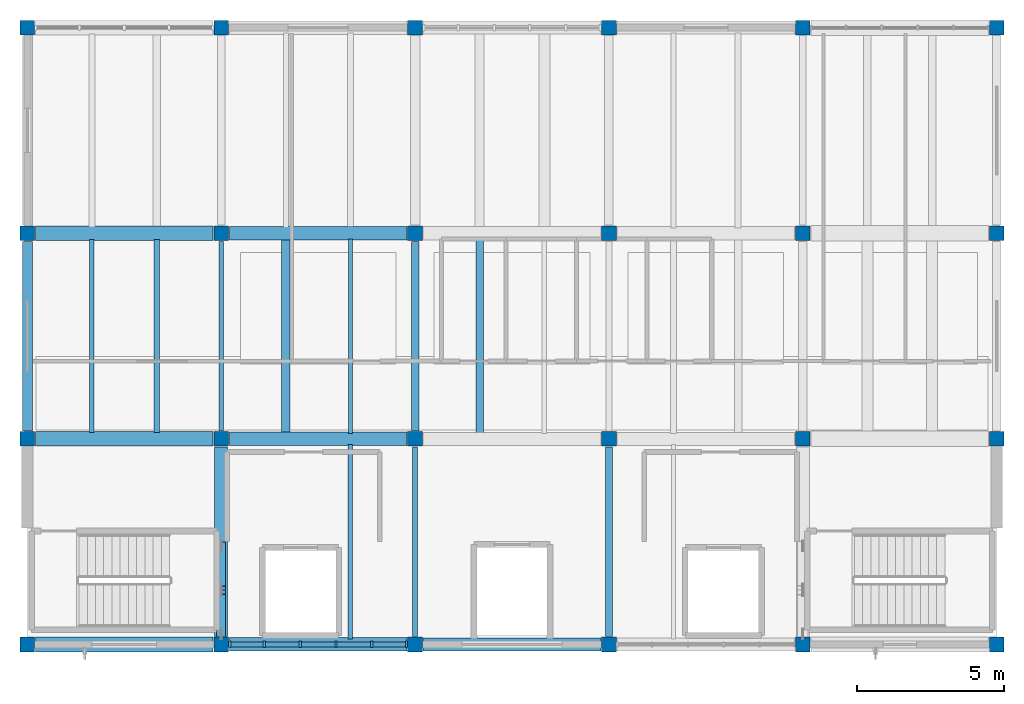
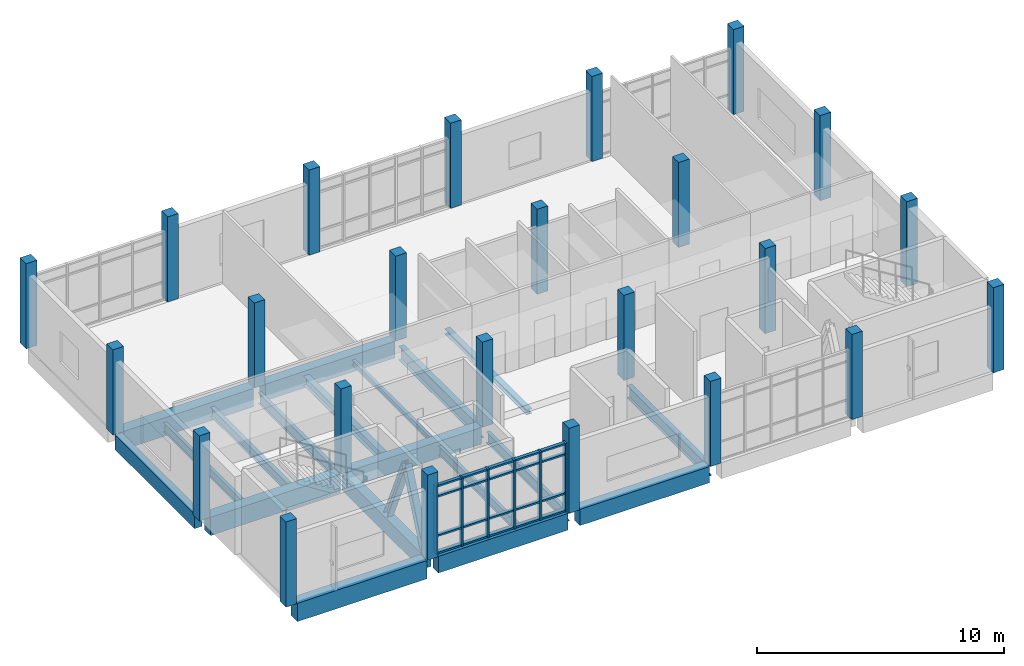
# One storey, part 1 of 10: 28 members, 24 columns, 19 beams, 1 element without a shape of its own.
"""IFC4 building model written with IfcOpenShell, lengths in metres."""

from ifc_helpers import new_model, si_unit, direction, frame, origin, origin_2d, place, context, subcontext, project, spatial, rectangle, i_section, extrude, material, material_profile, profile_set, type_object, element, aggregate, save


model = new_model("IFC4")

# Units and contexts
model_context = context("Model", 3, precision=1e-05, world=origin(), true_north=direction((0.0, 1.0)))
body_context = subcontext(model_context, "Body", "Model", "MODEL_VIEW")
ifc_project = project(units=[si_unit("LENGTHUNIT", "METRE"), si_unit("AREAUNIT", "SQUARE_METRE"), si_unit("VOLUMEUNIT", "CUBIC_METRE"), si_unit("PLANEANGLEUNIT", "RADIAN"), si_unit("MASSUNIT", "GRAM", prefix="KILO")], contexts=[model_context])

# Site, building, storey
site_placement = place(None, origin())
site = spatial("IfcSite", under=ifc_project, at=site_placement, CompositionType="ELEMENT")
building_placement = place(site_placement, origin())
building = spatial("IfcBuilding", under=site, at=building_placement, Name="Ciguamira Faculty of Natural Sciences", CompositionType="ELEMENT")
storey_placement = place(building_placement, frame((0.0, 0.0, 42.0)))
storey = spatial("IfcBuildingStorey", under=building, at=storey_placement, Name="L10", CompositionType="ELEMENT", Elevation=42.0)

# Columns
ifc_material_1 = material(Name="Concrete C40/50", Category="concrete")
ifc_material_profile_1 = material_profile(ifc_material_1, rectangle(XDim=0.5, YDim=0.5, at=origin_2d()), Name="RC-COL-500X500")
ifc_profile_set_1 = profile_set([ifc_material_profile_1], Name="Concrete C40/50")
column_type = type_object("IfcColumnType", Name="Col_C-09_RC-COL-500X500", PredefinedType="COLUMN", material=ifc_profile_set_1)
for number, where, z_axis, x_axis, name in (
    (1, (70.5, 94.0, 0.0), (0.0, 0.0, 1.0), (1.0, 0.0, 0.0), "L10 column 11/P"),
    (2, (70.5, 101.0, 0.0), (0.0, 0.0, 1.0), (1.0, 0.0, 0.0), "L10 column 11/Q"),
    (3, (70.5, 108.0, 0.0), (0.0, 0.0, 1.0), (1.0, 0.0, 0.0), "L10 column 11/R"),
    (4, (70.5, 115.0, 0.0), (0.0, 0.0, 1.0), (1.0, 0.0, 0.0), "L10 column 11/S"),
    (5, (77.10009765625, 94.0, 0.0), (0.0, 0.0, 1.0), (1.0, 0.0, 0.0), "L10 column 12/P"),
    (6, (77.10009765625, 101.0, 0.0), (0.0, 0.0, 1.0), (1.0, 0.0, 0.0), "L10 column 12/Q"),
    (7, (77.10009765625, 108.0, 0.0), (0.0, 0.0, 1.0), (1.0, 0.0, 0.0), "L10 column 12/R"),
    (8, (77.10009765625, 115.0, 0.0), (0.0, 0.0, 1.0), (1.0, 0.0, 0.0), "L10 column 12/S"),
    (9, (83.699951171875, 94.0, 0.0), (0.0, 0.0, 1.0), (1.0, 0.0, 0.0), "L10 column 13/P"),
    (10, (83.699951171875, 101.0, 0.0), (0.0, 0.0, 1.0), (1.0, 0.0, 0.0), "L10 column 13/Q"),
    (11, (83.699951171875, 108.0, 0.0), (0.0, 0.0, 1.0), (1.0, 0.0, 0.0), "L10 column 13/R"),
    (12, (83.699951171875, 115.0, 0.0), (0.0, 0.0, 1.0), (1.0, 0.0, 0.0), "L10 column 13/S"),
    (13, (90.300048828125, 94.0, 0.0), (0.0, 0.0, 1.0), (1.0, 0.0, 0.0), "L10 column 14/P"),
    (14, (90.300048828125, 101.0, 0.0), (0.0, 0.0, 1.0), (1.0, 0.0, 0.0), "L10 column 14/Q"),
    (15, (90.300048828125, 108.0, 0.0), (0.0, 0.0, 1.0), (1.0, 0.0, 0.0), "L10 column 14/R"),
    (16, (90.300048828125, 115.0, 0.0), (0.0, 0.0, 1.0), (1.0, 0.0, 0.0), "L10 column 14/S"),
    (17, (96.89990234375, 94.0, 0.0), (0.0, 0.0, 1.0), (1.0, 0.0, 0.0), "L10 column 15/P"),
    (18, (96.89990234375, 101.0, 0.0), (0.0, 0.0, 1.0), (1.0, 0.0, 0.0), "L10 column 15/Q"),
    (19, (96.89990234375, 108.0, 0.0), (0.0, 0.0, 1.0), (1.0, 0.0, 0.0), "L10 column 15/R"),
    (20, (96.89990234375, 115.0, 0.0), (0.0, 0.0, 1.0), (1.0, 0.0, 0.0), "L10 column 15/S"),
    (21, (103.5, 94.0, 0.0), (0.0, 0.0, 1.0), (1.0, 0.0, 0.0), "L10 column 16/P"),
    (22, (103.5, 101.0, 0.0), (0.0, 0.0, 1.0), (1.0, 0.0, 0.0), "L10 column 16/Q"),
    (23, (103.5, 108.0, 0.0), (0.0, 0.0, 1.0), (1.0, 0.0, 0.0), "L10 column 16/R"),
    (24, (103.5, 115.0, 0.0), (0.0, 0.0, 1.0), (1.0, 0.0, 0.0), "L10 column 16/S"),
):
    element("IfcColumn", number, at=place(storey_placement, frame(where, z_axis=z_axis, x_axis=x_axis)), inside=storey, type_object=column_type, Name=name, PredefinedType="COLUMN", context=body_context, shape_type="SweptSolid", body=[
        extrude(rectangle(XDim=0.5, YDim=0.5, at=origin_2d()), origin(), (0.0, 0.0, 1.0), 4.199951171875),
    ])

# Curtain wall, members
ifc_material_2 = material(Name="Anodized aluminium curtain wall", Category="aluminium")
curtain_wall_type = type_object("IfcCurtainWallType", Name="CurtainWall_CW-09", PredefinedType="USERDEFINED", material=ifc_material_2)
curtain_wall_placement = place(storey_placement, origin())
curtain_wall = element("IfcCurtainWall", 25, at=curtain_wall_placement, inside=storey, type_object=curtain_wall_type, Name="L10 unitised curtain wall 0165", ObjectType="UNITISED CURTAIN WALL", PredefinedType="USERDEFINED")
ifc_material_3 = material(Name="Anodized aluminium mullion", Category="aluminium")
ifc_material_profile_2 = material_profile(ifc_material_3, rectangle(XDim=0.080078125, YDim=0.219970703125, at=origin_2d()), Name="ALU-MUL-80X220")
ifc_profile_set_2 = profile_set([ifc_material_profile_2], Name="Anodized aluminium mullion")
member_type_1 = type_object("IfcMemberType", Name="CWMullion_CWM-03", PredefinedType="MULLION", material=ifc_profile_set_2)
member_1_placement = place(storey_placement, frame((77.389892578125, 94.0, 0.0), z_axis=(0.0, 0.0, 1.0), x_axis=(1.0, 0.0, 0.0)))
member_1 = element("IfcMember", 26, at=member_1_placement, type_object=member_type_1, Name="CW-09 mullion 1", PredefinedType="MULLION", context=body_context, shape_type="SweptSolid", body=[
    extrude(rectangle(XDim=0.080078125, YDim=0.219970703125, at=origin_2d()), origin(), (0.0, 0.0, 1.0), 3.385009765625),
])
member_2_placement = place(storey_placement, frame((78.570068359375, 94.0, 0.0), z_axis=(0.0, 0.0, 1.0), x_axis=(1.0, 0.0, 0.0)))
member_2 = element("IfcMember", 27, at=member_2_placement, type_object=member_type_1, Name="CW-09 mullion 2", PredefinedType="MULLION", context=body_context, shape_type="SweptSolid", body=[
    extrude(rectangle(XDim=0.080078125, YDim=0.219970703125, at=origin_2d()), origin(), (0.0, 0.0, 1.0), 3.385009765625),
])
member_3_placement = place(storey_placement, frame((79.7900390625, 94.0, 0.0), z_axis=(0.0, 0.0, 1.0), x_axis=(1.0, 0.0, 0.0)))
member_3 = element("IfcMember", 28, at=member_3_placement, type_object=member_type_1, Name="CW-09 mullion 3", PredefinedType="MULLION", context=body_context, shape_type="SweptSolid", body=[
    extrude(rectangle(XDim=0.080078125, YDim=0.219970703125, at=origin_2d()), origin(), (0.0, 0.0, 1.0), 3.385009765625),
])
member_4_placement = place(storey_placement, frame((81.010009765625, 94.0, 0.0), z_axis=(0.0, 0.0, 1.0), x_axis=(1.0, 0.0, 0.0)))
member_4 = element("IfcMember", 29, at=member_4_placement, type_object=member_type_1, Name="CW-09 mullion 4", PredefinedType="MULLION", context=body_context, shape_type="SweptSolid", body=[
    extrude(rectangle(XDim=0.080078125, YDim=0.219970703125, at=origin_2d()), origin(), (0.0, 0.0, 1.0), 3.385009765625),
])
member_5_placement = place(storey_placement, frame((82.22998046875, 94.0, 0.0), z_axis=(0.0, 0.0, 1.0), x_axis=(1.0, 0.0, 0.0)))
member_5 = element("IfcMember", 30, at=member_5_placement, type_object=member_type_1, Name="CW-09 mullion 5", PredefinedType="MULLION", context=body_context, shape_type="SweptSolid", body=[
    extrude(rectangle(XDim=0.080078125, YDim=0.219970703125, at=origin_2d()), origin(), (0.0, 0.0, 1.0), 3.385009765625),
])
member_6_placement = place(storey_placement, frame((83.409912109375, 94.0, 0.0), z_axis=(0.0, 0.0, 1.0), x_axis=(1.0, 0.0, 0.0)))
member_6 = element("IfcMember", 31, at=member_6_placement, type_object=member_type_1, Name="CW-09 mullion 6", PredefinedType="MULLION", context=body_context, shape_type="SweptSolid", body=[
    extrude(rectangle(XDim=0.080078125, YDim=0.219970703125, at=origin_2d()), origin(), (0.0, 0.0, 1.0), 3.385009765625),
])
ifc_material_4 = material(Name="Anodized aluminium transom", Category="aluminium")
ifc_material_profile_3 = material_profile(ifc_material_4, rectangle(XDim=0.080078125, YDim=0.159912109375, at=origin_2d()), Name="ALU-TRN-80X160")
ifc_profile_set_3 = profile_set([ifc_material_profile_3], Name="Anodized aluminium transom")
member_type_2 = type_object("IfcMemberType", Name="CWTransom_CWT-03", PredefinedType="USERDEFINED", material=ifc_profile_set_3)
member_7_placement = place(storey_placement, frame((77.429931640625, 94.0, 0.0400390625), z_axis=(1.0, 0.0, 0.0), x_axis=(0.0, 0.0, 1.0)))
member_7 = element("IfcMember", 32, at=member_7_placement, type_object=member_type_2, Name="CW-09 transom 1.1", ObjectType="TRANSOM", PredefinedType="USERDEFINED", context=body_context, shape_type="SweptSolid", body=[
    extrude(rectangle(XDim=0.080078125, YDim=0.159912109375, at=origin_2d()), origin(), (0.0, 0.0, 1.0), 1.10009765625),
])
member_8_placement = place(storey_placement, frame((77.429931640625, 94.0, 0.89990234375), z_axis=(1.0, 0.0, 0.0), x_axis=(0.0, 0.0, 1.0)))
member_8 = element("IfcMember", 33, at=member_8_placement, type_object=member_type_2, Name="CW-09 transom 1.2", ObjectType="TRANSOM", PredefinedType="USERDEFINED", context=body_context, shape_type="SweptSolid", body=[
    extrude(rectangle(XDim=0.080078125, YDim=0.159912109375, at=origin_2d()), origin(), (0.0, 0.0, 1.0), 1.10009765625),
])
member_9_placement = place(storey_placement, frame((77.429931640625, 94.0, 2.8349609375), z_axis=(1.0, 0.0, 0.0), x_axis=(0.0, 0.0, 1.0)))
member_9 = element("IfcMember", 34, at=member_9_placement, type_object=member_type_2, Name="CW-09 transom 1.3", ObjectType="TRANSOM", PredefinedType="USERDEFINED", context=body_context, shape_type="SweptSolid", body=[
    extrude(rectangle(XDim=0.080078125, YDim=0.159912109375, at=origin_2d()), origin(), (0.0, 0.0, 1.0), 1.10009765625),
])
member_10_placement = place(storey_placement, frame((77.429931640625, 94.0, 3.344970703125), z_axis=(1.0, 0.0, 0.0), x_axis=(0.0, 0.0, 1.0)))
member_10 = element("IfcMember", 35, at=member_10_placement, type_object=member_type_2, Name="CW-09 transom 1.4", ObjectType="TRANSOM", PredefinedType="USERDEFINED", context=body_context, shape_type="SweptSolid", body=[
    extrude(rectangle(XDim=0.080078125, YDim=0.159912109375, at=origin_2d()), origin(), (0.0, 0.0, 1.0), 1.10009765625),
])
member_11_placement = place(storey_placement, frame((78.610107421875, 94.0, 0.0400390625), z_axis=(1.0, 0.0, 0.0), x_axis=(0.0, 0.0, 1.0)))
member_11 = element("IfcMember", 36, at=member_11_placement, type_object=member_type_2, Name="CW-09 transom 2.1", ObjectType="TRANSOM", PredefinedType="USERDEFINED", context=body_context, shape_type="SweptSolid", body=[
    extrude(rectangle(XDim=0.080078125, YDim=0.159912109375, at=origin_2d()), origin(), (0.0, 0.0, 1.0), 1.139892578125),
])
member_12_placement = place(storey_placement, frame((78.610107421875, 94.0, 0.89990234375), z_axis=(1.0, 0.0, 0.0), x_axis=(0.0, 0.0, 1.0)))
member_12 = element("IfcMember", 37, at=member_12_placement, type_object=member_type_2, Name="CW-09 transom 2.2", ObjectType="TRANSOM", PredefinedType="USERDEFINED", context=body_context, shape_type="SweptSolid", body=[
    extrude(rectangle(XDim=0.080078125, YDim=0.159912109375, at=origin_2d()), origin(), (0.0, 0.0, 1.0), 1.139892578125),
])
member_13_placement = place(storey_placement, frame((78.610107421875, 94.0, 2.8349609375), z_axis=(1.0, 0.0, 0.0), x_axis=(0.0, 0.0, 1.0)))
member_13 = element("IfcMember", 38, at=member_13_placement, type_object=member_type_2, Name="CW-09 transom 2.3", ObjectType="TRANSOM", PredefinedType="USERDEFINED", context=body_context, shape_type="SweptSolid", body=[
    extrude(rectangle(XDim=0.080078125, YDim=0.159912109375, at=origin_2d()), origin(), (0.0, 0.0, 1.0), 1.139892578125),
])
member_14_placement = place(storey_placement, frame((78.610107421875, 94.0, 3.344970703125), z_axis=(1.0, 0.0, 0.0), x_axis=(0.0, 0.0, 1.0)))
member_14 = element("IfcMember", 39, at=member_14_placement, type_object=member_type_2, Name="CW-09 transom 2.4", ObjectType="TRANSOM", PredefinedType="USERDEFINED", context=body_context, shape_type="SweptSolid", body=[
    extrude(rectangle(XDim=0.080078125, YDim=0.159912109375, at=origin_2d()), origin(), (0.0, 0.0, 1.0), 1.139892578125),
])
member_15_placement = place(storey_placement, frame((79.830078125, 94.0, 0.0400390625), z_axis=(1.0, 0.0, 0.0), x_axis=(0.0, 0.0, 1.0)))
member_15 = element("IfcMember", 40, at=member_15_placement, type_object=member_type_2, Name="CW-09 transom 3.1", ObjectType="TRANSOM", PredefinedType="USERDEFINED", context=body_context, shape_type="SweptSolid", body=[
    extrude(rectangle(XDim=0.080078125, YDim=0.159912109375, at=origin_2d()), origin(), (0.0, 0.0, 1.0), 1.139892578125),
])
member_16_placement = place(storey_placement, frame((79.830078125, 94.0, 0.89990234375), z_axis=(1.0, 0.0, 0.0), x_axis=(0.0, 0.0, 1.0)))
member_16 = element("IfcMember", 41, at=member_16_placement, type_object=member_type_2, Name="CW-09 transom 3.2", ObjectType="TRANSOM", PredefinedType="USERDEFINED", context=body_context, shape_type="SweptSolid", body=[
    extrude(rectangle(XDim=0.080078125, YDim=0.159912109375, at=origin_2d()), origin(), (0.0, 0.0, 1.0), 1.139892578125),
])
member_17_placement = place(storey_placement, frame((79.830078125, 94.0, 2.8349609375), z_axis=(1.0, 0.0, 0.0), x_axis=(0.0, 0.0, 1.0)))
member_17 = element("IfcMember", 42, at=member_17_placement, type_object=member_type_2, Name="CW-09 transom 3.3", ObjectType="TRANSOM", PredefinedType="USERDEFINED", context=body_context, shape_type="SweptSolid", body=[
    extrude(rectangle(XDim=0.080078125, YDim=0.159912109375, at=origin_2d()), origin(), (0.0, 0.0, 1.0), 1.139892578125),
])
member_18_placement = place(storey_placement, frame((79.830078125, 94.0, 3.344970703125), z_axis=(1.0, 0.0, 0.0), x_axis=(0.0, 0.0, 1.0)))
member_18 = element("IfcMember", 43, at=member_18_placement, type_object=member_type_2, Name="CW-09 transom 3.4", ObjectType="TRANSOM", PredefinedType="USERDEFINED", context=body_context, shape_type="SweptSolid", body=[
    extrude(rectangle(XDim=0.080078125, YDim=0.159912109375, at=origin_2d()), origin(), (0.0, 0.0, 1.0), 1.139892578125),
])
member_19_placement = place(storey_placement, frame((81.050048828125, 94.0, 0.0400390625), z_axis=(1.0, 0.0, 0.0), x_axis=(0.0, 0.0, 1.0)))
member_19 = element("IfcMember", 44, at=member_19_placement, type_object=member_type_2, Name="CW-09 transom 4.1", ObjectType="TRANSOM", PredefinedType="USERDEFINED", context=body_context, shape_type="SweptSolid", body=[
    extrude(rectangle(XDim=0.080078125, YDim=0.159912109375, at=origin_2d()), origin(), (0.0, 0.0, 1.0), 1.139892578125),
])
member_20_placement = place(storey_placement, frame((81.050048828125, 94.0, 0.89990234375), z_axis=(1.0, 0.0, 0.0), x_axis=(0.0, 0.0, 1.0)))
member_20 = element("IfcMember", 45, at=member_20_placement, type_object=member_type_2, Name="CW-09 transom 4.2", ObjectType="TRANSOM", PredefinedType="USERDEFINED", context=body_context, shape_type="SweptSolid", body=[
    extrude(rectangle(XDim=0.080078125, YDim=0.159912109375, at=origin_2d()), origin(), (0.0, 0.0, 1.0), 1.139892578125),
])
member_21_placement = place(storey_placement, frame((81.050048828125, 94.0, 2.8349609375), z_axis=(1.0, 0.0, 0.0), x_axis=(0.0, 0.0, 1.0)))
member_21 = element("IfcMember", 46, at=member_21_placement, type_object=member_type_2, Name="CW-09 transom 4.3", ObjectType="TRANSOM", PredefinedType="USERDEFINED", context=body_context, shape_type="SweptSolid", body=[
    extrude(rectangle(XDim=0.080078125, YDim=0.159912109375, at=origin_2d()), origin(), (0.0, 0.0, 1.0), 1.139892578125),
])
member_22_placement = place(storey_placement, frame((81.050048828125, 94.0, 3.344970703125), z_axis=(1.0, 0.0, 0.0), x_axis=(0.0, 0.0, 1.0)))
member_22 = element("IfcMember", 47, at=member_22_placement, type_object=member_type_2, Name="CW-09 transom 4.4", ObjectType="TRANSOM", PredefinedType="USERDEFINED", context=body_context, shape_type="SweptSolid", body=[
    extrude(rectangle(XDim=0.080078125, YDim=0.159912109375, at=origin_2d()), origin(), (0.0, 0.0, 1.0), 1.139892578125),
])
member_23_placement = place(storey_placement, frame((82.27001953125, 94.0, 0.0400390625), z_axis=(1.0, 0.0, 0.0), x_axis=(0.0, 0.0, 1.0)))
member_23 = element("IfcMember", 48, at=member_23_placement, type_object=member_type_2, Name="CW-09 transom 5.1", ObjectType="TRANSOM", PredefinedType="USERDEFINED", context=body_context, shape_type="SweptSolid", body=[
    extrude(rectangle(XDim=0.080078125, YDim=0.159912109375, at=origin_2d()), origin(), (0.0, 0.0, 1.0), 1.10009765625),
])
member_24_placement = place(storey_placement, frame((82.27001953125, 94.0, 0.89990234375), z_axis=(1.0, 0.0, 0.0), x_axis=(0.0, 0.0, 1.0)))
member_24 = element("IfcMember", 49, at=member_24_placement, type_object=member_type_2, Name="CW-09 transom 5.2", ObjectType="TRANSOM", PredefinedType="USERDEFINED", context=body_context, shape_type="SweptSolid", body=[
    extrude(rectangle(XDim=0.080078125, YDim=0.159912109375, at=origin_2d()), origin(), (0.0, 0.0, 1.0), 1.10009765625),
])
member_25_placement = place(storey_placement, frame((82.27001953125, 94.0, 2.8349609375), z_axis=(1.0, 0.0, 0.0), x_axis=(0.0, 0.0, 1.0)))
member_25 = element("IfcMember", 50, at=member_25_placement, type_object=member_type_2, Name="CW-09 transom 5.3", ObjectType="TRANSOM", PredefinedType="USERDEFINED", context=body_context, shape_type="SweptSolid", body=[
    extrude(rectangle(XDim=0.080078125, YDim=0.159912109375, at=origin_2d()), origin(), (0.0, 0.0, 1.0), 1.10009765625),
])
member_26_placement = place(storey_placement, frame((82.27001953125, 94.0, 3.344970703125), z_axis=(1.0, 0.0, 0.0), x_axis=(0.0, 0.0, 1.0)))
member_26 = element("IfcMember", 51, at=member_26_placement, type_object=member_type_2, Name="CW-09 transom 5.4", ObjectType="TRANSOM", PredefinedType="USERDEFINED", context=body_context, shape_type="SweptSolid", body=[
    extrude(rectangle(XDim=0.080078125, YDim=0.159912109375, at=origin_2d()), origin(), (0.0, 0.0, 1.0), 1.10009765625),
])
aggregate(curtain_wall, [member_1, member_2, member_3, member_4, member_5, member_6, member_7, member_8, member_9, member_10, member_11, member_12, member_13, member_14, member_15, member_16, member_17, member_18, member_19, member_20, member_21, member_22, member_23, member_24, member_25, member_26])

# Beams
ifc_material_profile_4 = material_profile(ifc_material_1, rectangle(XDim=0.5, YDim=0.89990234375, at=origin_2d()), Name="RC-BM-500X900")
ifc_profile_set_4 = profile_set([ifc_material_profile_4], Name="Concrete C40/50")
beam_type_1 = type_object("IfcBeamType", Name="RCBeam_BG-03_RC-BM-500X900", PredefinedType="BEAM", material=ifc_profile_set_4)
for number, where, z_axis, x_axis, name in (
    (52, (70.77490234375, 94.0, -0.449951171875), (1.0, 0.0, 0.0), (0.0, 1.0, 0.0), "L10 RC girder EW-1674"),
    (53, (70.77490234375, 101.0, -0.449951171875), (1.0, 0.0, 0.0), (0.0, 1.0, 0.0), "L10 RC girder EW-1679"),
    (54, (70.77490234375, 108.0, -0.449951171875), (1.0, 0.0, 0.0), (0.0, 1.0, 0.0), "L10 RC girder EW-1684"),
):
    element("IfcBeam", number, at=place(storey_placement, frame(where, z_axis=z_axis, x_axis=x_axis)), inside=storey, type_object=beam_type_1, Name=name, PredefinedType="BEAM", context=body_context, shape_type="SweptSolid", body=[
        extrude(rectangle(XDim=0.5, YDim=0.89990234375, at=origin_2d()), origin(), (0.0, 0.0, 1.0), 6.050048828125),
    ])
ifc_material_profile_5 = material_profile(ifc_material_1, rectangle(XDim=0.4599609375, YDim=0.820068359375, at=origin_2d()), Name="RC-BM-460X820")
ifc_profile_set_5 = profile_set([ifc_material_profile_5], Name="Concrete C40/50")
beam_type_2 = type_object("IfcBeamType", Name="RCBeam_BG-04_RC-BM-460X820", PredefinedType="BEAM", material=ifc_profile_set_5)
for number, where, z_axis, x_axis, name in (
    (55, (77.375, 94.0, -0.409912109375), (1.0, 0.0, 0.0), (0.0, 1.0, 0.0), "L10 RC girder EW-1675"),
    (56, (77.375, 101.0, -0.409912109375), (1.0, 0.0, 0.0), (0.0, 1.0, 0.0), "L10 RC girder EW-1680"),
    (57, (77.375, 108.0, -0.409912109375), (1.0, 0.0, 0.0), (0.0, 1.0, 0.0), "L10 RC girder EW-1685"),
):
    element("IfcBeam", number, at=place(storey_placement, frame(where, z_axis=z_axis, x_axis=x_axis)), inside=storey, type_object=beam_type_2, Name=name, PredefinedType="BEAM", context=body_context, shape_type="SweptSolid", body=[
        extrude(rectangle(XDim=0.4599609375, YDim=0.820068359375, at=origin_2d()), origin(), (0.0, 0.0, 1.0), 6.050048828125),
    ])
ifc_material_profile_6 = material_profile(ifc_material_1, rectangle(XDim=0.449951171875, YDim=0.800048828125, at=origin_2d()), Name="RC-BM-450X800")
ifc_profile_set_6 = profile_set([ifc_material_profile_6], Name="Concrete C40/50")
beam_type_3 = type_object("IfcBeamType", Name="RCBeam_BG-05_RC-BM-450X800", PredefinedType="BEAM", material=ifc_profile_set_6)
beam_1_placement = place(storey_placement, frame((83.97509765625, 94.0, -0.39990234375), z_axis=(1.0, 0.0, 0.0), x_axis=(0.0, 1.0, 0.0)))
element("IfcBeam", 58, at=beam_1_placement, inside=storey, type_object=beam_type_3, Name="L10 RC girder EW-1676", PredefinedType="BEAM", context=body_context, shape_type="SweptSolid", body=[
    extrude(rectangle(XDim=0.449951171875, YDim=0.800048828125, at=origin_2d()), origin(), (0.0, 0.0, 1.0), 6.0498046875),
])
ifc_material_profile_7 = material_profile(ifc_material_1, rectangle(XDim=0.43994140625, YDim=0.780029296875, at=origin_2d()), Name="RC-BM-440X780")
ifc_profile_set_7 = profile_set([ifc_material_profile_7], Name="Concrete C40/50")
beam_type_4 = type_object("IfcBeamType", Name="RCBeam_BG-06_RC-BM-440X780", PredefinedType="BEAM", material=ifc_profile_set_7)
beam_2_placement = place(storey_placement, frame((77.10009765625, 94.27490234375, -0.389892578125), z_axis=(0.0, 1.0, 0.0), x_axis=(-1.0, 0.0, 0.0)))
element("IfcBeam", 59, at=beam_2_placement, inside=storey, type_object=beam_type_4, Name="L10 core-end brace tie girder 77", PredefinedType="BEAM", context=body_context, shape_type="SweptSolid", body=[
    extrude(rectangle(XDim=0.43994140625, YDim=0.780029296875, at=origin_2d()), origin(), (0.0, 0.0, 1.0), 6.4501953125),
])
ifc_material_5 = material(Name="Precast concrete C40/50", Category="concrete")
ifc_material_profile_8 = material_profile(ifc_material_5, rectangle(XDim=0.340087890625, YDim=0.719970703125, at=origin_2d()), Name="RC-SP-340X720")
ifc_profile_set_8 = profile_set([ifc_material_profile_8], Name="Precast concrete C40/50")
beam_type_5 = type_object("IfcBeamType", Name="RCBeam_SP-03_RC-SP-340X720", PredefinedType="SPANDREL", material=ifc_profile_set_8)
beam_3_placement = place(storey_placement, frame((70.5, 101.27490234375, -0.360107421875), z_axis=(0.0, 1.0, 0.0), x_axis=(-1.0, 0.0, 0.0)))
element("IfcBeam", 60, at=beam_3_placement, inside=storey, type_object=beam_type_5, Name="L10 girder NS-1694", PredefinedType="SPANDREL", context=body_context, shape_type="SweptSolid", body=[
    extrude(rectangle(XDim=0.340087890625, YDim=0.719970703125, at=origin_2d()), origin(), (0.0, 0.0, 1.0), 6.4501953125),
])
ifc_material_6 = material(Name="Steel ASTM A992 Grade 50", Category="steel")
ifc_material_profile_9 = material_profile(ifc_material_6, i_section(OverallWidth=0.16650390625, OverallDepth=0.535888671875, WebThickness=0.01025390625, FlangeThickness=0.0166015625, at=origin_2d()), Name="W21X57")
ifc_profile_set_9 = profile_set([ifc_material_profile_9], Name="Steel ASTM A992 Grade 50")
beam_type_6 = type_object("IfcBeamType", Name="SteelGirder_SB-27_W21X57", PredefinedType="BEAM", material=ifc_profile_set_9)
for number, where, z_axis, x_axis, name in (
    (61, (77.10009765625, 101.27490234375, -0.528076171875), (0.0, 1.0, 0.0), (-1.0, 0.0, 0.0), "L10 girder NS-1696"),
    (62, (83.699951171875, 94.27490234375, -0.528076171875), (0.0, 1.0, 0.0), (-1.0, 0.0, 0.0), "L10 girder NS-1698"),
):
    element("IfcBeam", number, at=place(storey_placement, frame(where, z_axis=z_axis, x_axis=x_axis)), inside=storey, type_object=beam_type_6, Name=name, PredefinedType="BEAM", context=body_context, shape_type="SweptSolid", body=[
        extrude(i_section(OverallWidth=0.16650390625, OverallDepth=0.535888671875, WebThickness=0.01025390625, FlangeThickness=0.0166015625, at=origin_2d()), origin(), (0.0, 0.0, 1.0), 6.4501953125),
    ])
ifc_material_profile_10 = material_profile(ifc_material_6, i_section(OverallWidth=0.22900390625, OverallDepth=0.612060546875, WebThickness=0.011962890625, FlangeThickness=0.01953125, at=origin_2d()), Name="W24X84")
ifc_profile_set_10 = profile_set([ifc_material_profile_10], Name="Steel ASTM A992 Grade 50")
beam_type_7 = type_object("IfcBeamType", Name="SteelGirder_SB-33_W24X84", PredefinedType="BEAM", material=ifc_profile_set_10)
beam_4_placement = place(storey_placement, frame((90.300048828125, 94.27490234375, -0.566162109375), z_axis=(0.0, 1.0, 0.0), x_axis=(-1.0, 0.0, 0.0)))
element("IfcBeam", 63, at=beam_4_placement, inside=storey, type_object=beam_type_7, Name="L10 girder NS-1701", PredefinedType="BEAM", context=body_context, shape_type="SweptSolid", body=[
    extrude(i_section(OverallWidth=0.22900390625, OverallDepth=0.612060546875, WebThickness=0.011962890625, FlangeThickness=0.01953125, at=origin_2d()), origin(), (0.0, 0.0, 1.0), 6.4501953125),
])
ifc_material_profile_11 = material_profile(ifc_material_6, i_section(OverallWidth=0.25390625, OverallDepth=0.67822265625, WebThickness=0.01171875, FlangeThickness=0.016357421875, at=origin_2d()), Name="W27X84")
ifc_profile_set_11 = profile_set([ifc_material_profile_11], Name="Steel ASTM A992 Grade 50")
beam_type_8 = type_object("IfcBeamType", Name="SteelGirder_SB-34_W27X84", PredefinedType="BEAM", material=ifc_profile_set_11)
beam_5_placement = place(storey_placement, frame((83.699951171875, 101.27490234375, -0.59912109375), z_axis=(0.0, 1.0, 0.0), x_axis=(-1.0, 0.0, 0.0)))
element("IfcBeam", 64, at=beam_5_placement, inside=storey, type_object=beam_type_8, Name="L10 girder NS-1699", PredefinedType="BEAM", context=body_context, shape_type="SweptSolid", body=[
    extrude(i_section(OverallWidth=0.25390625, OverallDepth=0.67822265625, WebThickness=0.01171875, FlangeThickness=0.016357421875, at=origin_2d()), origin(), (0.0, 0.0, 1.0), 6.4501953125),
])
ifc_material_profile_12 = material_profile(ifc_material_6, i_section(OverallWidth=0.14599609375, OverallDepth=0.259033203125, WebThickness=0.006103515625, FlangeThickness=0.009033203125, at=origin_2d()), Name="W10X22")
ifc_profile_set_12 = profile_set([ifc_material_profile_12], Name="Steel ASTM A992 Grade 50")
beam_type_9 = type_object("IfcBeamType", Name="SteelJoist_SJ-01_W10X22", PredefinedType="JOIST", material=ifc_profile_set_12)
beam_6_placement = place(storey_placement, frame((81.5, 101.18994140625, -0.349609375), z_axis=(0.0, 1.0, 0.0), x_axis=(-1.0, 0.0, 0.0)))
element("IfcBeam", 65, at=beam_6_placement, inside=storey, type_object=beam_type_9, Name="L10 composite steel joist 01512", PredefinedType="JOIST", context=body_context, shape_type="SweptSolid", body=[
    extrude(i_section(OverallWidth=0.14599609375, OverallDepth=0.259033203125, WebThickness=0.006103515625, FlangeThickness=0.009033203125, at=origin_2d()), origin(), (0.0, 0.0, 1.0), 6.6201171875),
])
ifc_material_profile_13 = material_profile(ifc_material_6, i_section(OverallWidth=0.25390625, OverallDepth=0.25390625, WebThickness=0.008544921875, FlangeThickness=0.01416015625, at=origin_2d()), Name="W10X49")
ifc_profile_set_13 = profile_set([ifc_material_profile_13], Name="Steel ASTM A992 Grade 50")
beam_type_10 = type_object("IfcBeamType", Name="SteelJoist_SJ-03_W10X49", PredefinedType="JOIST", material=ifc_profile_set_13)
beam_7_placement = place(storey_placement, frame((85.89990234375, 101.18505859375, -0.346923828125), z_axis=(0.0, 1.0, 0.0), x_axis=(-1.0, 0.0, 0.0)))
element("IfcBeam", 66, at=beam_7_placement, inside=storey, type_object=beam_type_10, Name="L10 composite steel joist 01515", PredefinedType="JOIST", context=body_context, shape_type="SweptSolid", body=[
    extrude(i_section(OverallWidth=0.25390625, OverallDepth=0.25390625, WebThickness=0.008544921875, FlangeThickness=0.01416015625, at=origin_2d()), origin(), (0.0, 0.0, 1.0), 6.6298828125),
])
ifc_material_profile_14 = material_profile(ifc_material_6, i_section(OverallWidth=0.15234375, OverallDepth=0.449462890625, WebThickness=0.007568359375, FlangeThickness=0.0107421875, at=origin_2d()), Name="W18X35")
ifc_profile_set_14 = profile_set([ifc_material_profile_14], Name="Steel ASTM A992 Grade 50")
beam_type_11 = type_object("IfcBeamType", Name="SteelJoist_SJ-21_W18X35", PredefinedType="JOIST", material=ifc_profile_set_14)
beam_8_placement = place(storey_placement, frame((81.5, 94.18994140625, -0.44482421875), z_axis=(0.0, 1.0, 0.0), x_axis=(-1.0, 0.0, 0.0)))
element("IfcBeam", 67, at=beam_8_placement, inside=storey, type_object=beam_type_11, Name="L10 composite steel joist 01510", PredefinedType="JOIST", context=body_context, shape_type="SweptSolid", body=[
    extrude(i_section(OverallWidth=0.15234375, OverallDepth=0.449462890625, WebThickness=0.007568359375, FlangeThickness=0.0107421875, at=origin_2d()), origin(), (0.0, 0.0, 1.0), 6.6201171875),
])
ifc_material_profile_15 = material_profile(ifc_material_6, i_section(OverallWidth=0.15283203125, OverallDepth=0.45458984375, WebThickness=0.008056640625, FlangeThickness=0.013427734375, at=origin_2d()), Name="W18X40")
ifc_profile_set_15 = profile_set([ifc_material_profile_15], Name="Steel ASTM A992 Grade 50")
beam_type_12 = type_object("IfcBeamType", Name="SteelJoist_SJ-22_W18X40", PredefinedType="JOIST", material=ifc_profile_set_15)
beam_9_placement = place(storey_placement, frame((72.699951171875, 101.2099609375, -0.447265625), z_axis=(0.0, 1.0, 0.0), x_axis=(-1.0, 0.0, 0.0)))
element("IfcBeam", 68, at=beam_9_placement, inside=storey, type_object=beam_type_12, Name="L10 composite steel joist 01506", PredefinedType="JOIST", context=body_context, shape_type="SweptSolid", body=[
    extrude(i_section(OverallWidth=0.15283203125, OverallDepth=0.45458984375, WebThickness=0.008056640625, FlangeThickness=0.013427734375, at=origin_2d()), origin(), (0.0, 0.0, 1.0), 6.580078125),
])
ifc_material_profile_16 = material_profile(ifc_material_6, i_section(OverallWidth=0.1904296875, OverallDepth=0.457275390625, WebThickness=0.009033203125, FlangeThickness=0.014404296875, at=origin_2d()), Name="W18X50")
ifc_profile_set_16 = profile_set([ifc_material_profile_16], Name="Steel ASTM A992 Grade 50")
beam_type_13 = type_object("IfcBeamType", Name="SteelJoist_SJ-23_W18X50", PredefinedType="JOIST", material=ifc_profile_set_16)
beam_10_placement = place(storey_placement, frame((74.89990234375, 101.2099609375, -0.448486328125), z_axis=(0.0, 1.0, 0.0), x_axis=(-1.0, 0.0, 0.0)))
element("IfcBeam", 69, at=beam_10_placement, inside=storey, type_object=beam_type_13, Name="L10 composite steel joist 01507", PredefinedType="JOIST", context=body_context, shape_type="SweptSolid", body=[
    extrude(i_section(OverallWidth=0.1904296875, OverallDepth=0.457275390625, WebThickness=0.009033203125, FlangeThickness=0.014404296875, at=origin_2d()), origin(), (0.0, 0.0, 1.0), 6.580078125),
])
ifc_material_profile_17 = material_profile(ifc_material_6, i_section(OverallWidth=0.279296875, OverallDepth=0.462158203125, WebThickness=0.0107421875, FlangeThickness=0.017333984375, at=origin_2d()), Name="W18X76")
ifc_profile_set_17 = profile_set([ifc_material_profile_17], Name="Steel ASTM A992 Grade 50")
beam_type_14 = type_object("IfcBeamType", Name="SteelJoist_SJ-25_W18X76", PredefinedType="JOIST", material=ifc_profile_set_17)
beam_11_placement = place(storey_placement, frame((79.300048828125, 101.18994140625, -0.451171875), z_axis=(0.0, 1.0, 0.0), x_axis=(-1.0, 0.0, 0.0)))
element("IfcBeam", 70, at=beam_11_placement, inside=storey, type_object=beam_type_14, Name="L10 composite steel joist 01511", PredefinedType="JOIST", context=body_context, shape_type="SweptSolid", body=[
    extrude(i_section(OverallWidth=0.279296875, OverallDepth=0.462158203125, WebThickness=0.0107421875, FlangeThickness=0.017333984375, at=origin_2d()), origin(), (0.0, 0.0, 1.0), 6.6201171875),
])

# Members
ifc_material_profile_18 = material_profile(ifc_material_6, i_section(OverallWidth=0.3046875, OverallDepth=0.307373046875, WebThickness=0.010009765625, FlangeThickness=0.015380859375, at=origin_2d()), Name="W12X65")
ifc_profile_set_18 = profile_set([ifc_material_profile_18], Name="Steel ASTM A992 Grade 50")
member_type_3 = type_object("IfcMemberType", Name="SteelMember_BR-04_W12X65", PredefinedType="BRACE", material=ifc_profile_set_18)
for number, where, z_axis, x_axis, name in (
    (71, (77.10009765625, 94.35009765625, 0.0), (0.0, 0.401669190317, 0.915784833653), (-1.0, 0.0, 0.0), "L10 lateral chevron brace 045"),
    (72, (77.10009765625, 97.35009765625, 0.0), (0.0, -0.401669190317, 0.915784833653), (1.0, 0.0, 0.0), "L10 lateral chevron brace 046"),
):
    element("IfcMember", number, at=place(storey_placement, frame(where, z_axis=z_axis, x_axis=x_axis)), inside=storey, type_object=member_type_3, Name=name, PredefinedType="BRACE", context=body_context, shape_type="SweptSolid", body=[
        extrude(i_section(OverallWidth=0.3046875, OverallDepth=0.307373046875, WebThickness=0.010009765625, FlangeThickness=0.015380859375, at=origin_2d()), origin(), (0.0, 0.0, 1.0), 3.734375),
    ])

save(model, "model.ifc")
